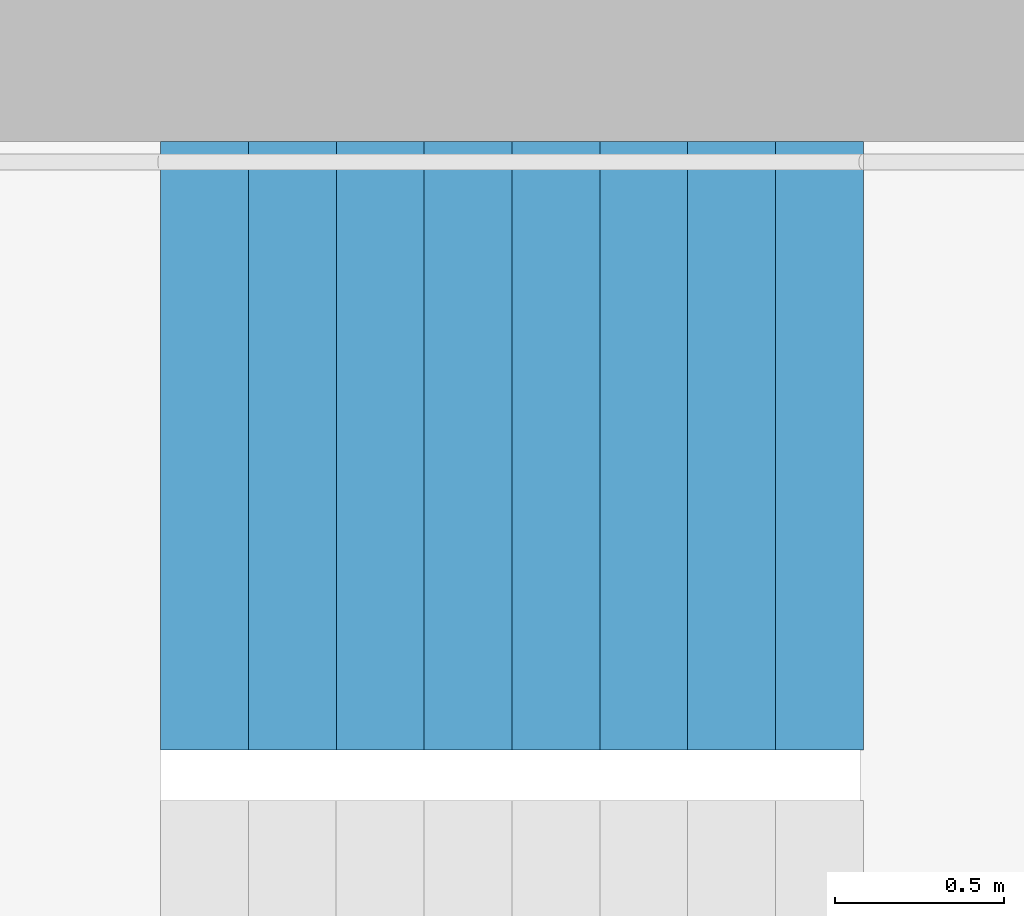
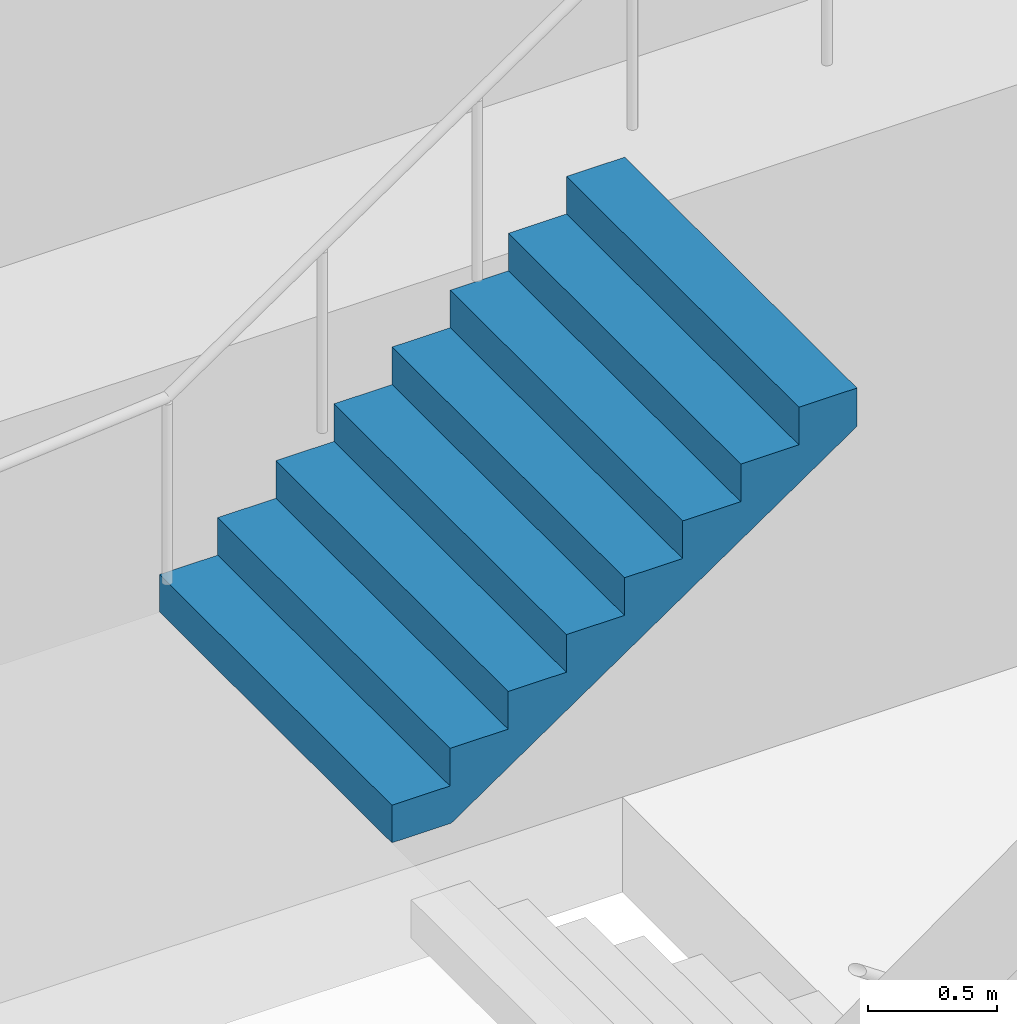
# One storey, part 25 of 26: 1 stair flight, 1 element without a shape of its own.
"""IFC4 building model written with IfcOpenShell, lengths in metres."""

from ifc_helpers import new_model, si_unit, direction, frame, origin, place, context, subcontext, project, spatial, triangles, material, type_object, element, aggregate, save


model = new_model("IFC4")

# Units and contexts
model_context = context("Model", 3, precision=1e-05, world=origin(), true_north=direction((0.0, 1.0)))
body_context = subcontext(model_context, "Body", "Model", "MODEL_VIEW")
ifc_project = project(units=[si_unit("LENGTHUNIT", "METRE"), si_unit("AREAUNIT", "SQUARE_METRE"), si_unit("VOLUMEUNIT", "CUBIC_METRE"), si_unit("PLANEANGLEUNIT", "RADIAN"), si_unit("MASSUNIT", "GRAM", prefix="KILO")], contexts=[model_context])

# Site, building, storey
site_placement = place(None, origin())
site = spatial("IfcSite", under=ifc_project, at=site_placement, CompositionType="ELEMENT")
building_placement = place(site_placement, origin())
building = spatial("IfcBuilding", under=site, at=building_placement, Name="Hakoniwa Tower and Hamabe Station Hall", CompositionType="ELEMENT")
storey_placement = place(building_placement, frame((0.0, 0.0, 212.199951171875)))
storey = spatial("IfcBuildingStorey", under=building, at=storey_placement, Name="L60", CompositionType="ELEMENT", Elevation=212.199951171875)

# Stair, stair flight
ifc_material_1 = material(Name="Concrete C40", Category="concrete")
stair_type = type_object("IfcStairType", Name="ESCAPE STAIR 1800", PredefinedType="HALF_TURN_STAIR", material=ifc_material_1)
stair_placement = place(storey_placement, origin())
stair = element("IfcStair", 1, at=stair_placement, inside=storey, type_object=stair_type, Name="Escape stair ST-3 L60", PredefinedType="HALF_TURN_STAIR")
ifc_material_2 = material(Name="Concrete C40", Category="concrete")
stair_flight_type = type_object("IfcStairFlightType", Name="STAIR FLIGHT 1800", PredefinedType="STRAIGHT", material=ifc_material_2)
stair_flight_placement = place(storey_placement, frame((22.320068359375, 6.60009765625, 1.60009765625), z_axis=(0.0, 0.0, 1.0), x_axis=(1.0, 0.0, 0.0)))
stair_flight = element("IfcStairFlight", 2, at=stair_flight_placement, type_object=stair_flight_type, Name="ST-3 flight 2", NumberOfRisers=9, NumberOfTreads=8, PredefinedType="STRAIGHT", RiserHeight=0.177777778, TreadLength=0.26, context=body_context, shape_type="Tessellation", body=[
    triangles([(0.0, 0.89990234375, 0.0), (0.260009765625, 0.89990234375, 0.0), (0.265625, 0.89990234375, 0.0), (0.52001953125, 0.89990234375, 0.174072265625), (0.780029296875, 0.89990234375, 0.351806640625), (1.0400390625, 0.89990234375, 0.529541015625), (1.300048828125, 0.89990234375, 0.707275390625), (1.56005859375, 0.89990234375, 0.885009765625), (1.820068359375, 0.89990234375, 1.062744140625), (2.080078125, 0.89990234375, 1.24072265625), (2.080078125, 0.89990234375, 1.422119140625), (1.820068359375, 0.89990234375, 1.422119140625), (1.820068359375, 0.89990234375, 1.244384765625), (1.56005859375, 0.89990234375, 1.244384765625), (1.56005859375, 0.89990234375, 1.066650390625), (1.300048828125, 0.89990234375, 1.066650390625), (1.300048828125, 0.89990234375, 0.888916015625), (1.0400390625, 0.89990234375, 0.888916015625), (1.0400390625, 0.89990234375, 0.711181640625), (0.780029296875, 0.89990234375, 0.711181640625), (0.780029296875, 0.89990234375, 0.533447265625), (0.52001953125, 0.89990234375, 0.533447265625), (0.52001953125, 0.89990234375, 0.35546875), (0.265625, 0.89990234375, 0.35546875), (0.260009765625, 0.89990234375, 0.35546875), (0.260009765625, 0.89990234375, 0.177734375), (0.0, 0.89990234375, 0.177734375), (0.0, 0.06005859375, 0.0), (0.260009765625, 0.06005859375, 0.0), (0.265625, 0.06005859375, 0.0), (0.52001953125, 0.06005859375, 0.174072265625), (0.780029296875, 0.06005859375, 0.351806640625), (1.0400390625, 0.06005859375, 0.529541015625), (1.300048828125, 0.06005859375, 0.707275390625), (1.56005859375, 0.06005859375, 0.885009765625), (1.820068359375, 0.06005859375, 1.062744140625), (2.080078125, 0.06005859375, 1.24072265625), (2.080078125, 0.06005859375, 1.422119140625), (1.820068359375, 0.06005859375, 1.422119140625), (1.820068359375, 0.06005859375, 1.244384765625), (1.56005859375, 0.06005859375, 1.244384765625), (1.56005859375, 0.06005859375, 1.066650390625), (1.300048828125, 0.06005859375, 1.066650390625), (1.300048828125, 0.06005859375, 0.888916015625), (1.0400390625, 0.06005859375, 0.888916015625), (1.0400390625, 0.06005859375, 0.711181640625), (0.780029296875, 0.06005859375, 0.711181640625), (0.780029296875, 0.06005859375, 0.533447265625), (0.52001953125, 0.06005859375, 0.533447265625), (0.52001953125, 0.06005859375, 0.35546875), (0.265625, 0.06005859375, 0.35546875), (0.260009765625, 0.06005859375, 0.35546875), (0.260009765625, 0.06005859375, 0.177734375), (0.0, 0.06005859375, 0.177734375), (0.0, 0.04296875, 0.0), (0.260009765625, 0.04296875, 0.0), (0.265625, 0.04296875, 0.0), (0.52001953125, 0.04296875, 0.174072265625), (0.780029296875, 0.04296875, 0.351806640625), (1.0400390625, 0.04296875, 0.529541015625), (1.300048828125, 0.04296875, 0.707275390625), (1.56005859375, 0.04296875, 0.885009765625), (1.820068359375, 0.04296875, 1.062744140625), (2.080078125, 0.04296875, 1.24072265625), (2.080078125, 0.04296875, 1.422119140625), (1.820068359375, 0.04296875, 1.422119140625), (1.820068359375, 0.04296875, 1.244384765625), (1.56005859375, 0.04296875, 1.244384765625), (1.56005859375, 0.04296875, 1.066650390625), (1.300048828125, 0.04296875, 1.066650390625), (1.300048828125, 0.04296875, 0.888916015625), (1.0400390625, 0.04296875, 0.888916015625), (1.0400390625, 0.04296875, 0.711181640625), (0.780029296875, 0.04296875, 0.711181640625), (0.780029296875, 0.04296875, 0.533447265625), (0.52001953125, 0.04296875, 0.533447265625), (0.52001953125, 0.04296875, 0.35546875), (0.265625, 0.04296875, 0.35546875), (0.260009765625, 0.04296875, 0.35546875), (0.260009765625, 0.04296875, 0.177734375), (0.0, 0.04296875, 0.177734375), (0.0, 0.025634765625, 0.0), (0.260009765625, 0.025634765625, 0.0), (0.265625, 0.025634765625, 0.0), (0.52001953125, 0.025634765625, 0.174072265625), (0.780029296875, 0.025634765625, 0.351806640625), (1.0400390625, 0.025634765625, 0.529541015625), (1.300048828125, 0.025634765625, 0.707275390625), (1.56005859375, 0.025634765625, 0.885009765625), (1.820068359375, 0.025634765625, 1.062744140625), (2.080078125, 0.025634765625, 1.24072265625), (2.080078125, 0.025634765625, 1.422119140625), (1.820068359375, 0.025634765625, 1.422119140625), (1.820068359375, 0.025634765625, 1.244384765625), (1.56005859375, 0.025634765625, 1.244384765625), (1.56005859375, 0.025634765625, 1.066650390625), (1.300048828125, 0.025634765625, 1.066650390625), (1.300048828125, 0.025634765625, 0.888916015625), (1.0400390625, 0.025634765625, 0.888916015625), (1.0400390625, 0.025634765625, 0.711181640625), (0.780029296875, 0.025634765625, 0.711181640625), (0.780029296875, 0.025634765625, 0.533447265625), (0.52001953125, 0.025634765625, 0.533447265625), (0.52001953125, 0.025634765625, 0.35546875), (0.265625, 0.025634765625, 0.35546875), (0.260009765625, 0.025634765625, 0.35546875), (0.260009765625, 0.025634765625, 0.177734375), (0.0, 0.025634765625, 0.177734375), (0.0, 0.008544921875, 0.0), (0.260009765625, 0.008544921875, 0.0), (0.265625, 0.008544921875, 0.0), (0.52001953125, 0.008544921875, 0.174072265625), (0.780029296875, 0.008544921875, 0.351806640625), (1.0400390625, 0.008544921875, 0.529541015625), (1.300048828125, 0.008544921875, 0.707275390625), (1.56005859375, 0.008544921875, 0.885009765625), (1.820068359375, 0.008544921875, 1.062744140625), (2.080078125, 0.008544921875, 1.24072265625), (2.080078125, 0.008544921875, 1.422119140625), (1.820068359375, 0.008544921875, 1.422119140625), (1.820068359375, 0.008544921875, 1.244384765625), (1.56005859375, 0.008544921875, 1.244384765625), (1.56005859375, 0.008544921875, 1.066650390625), (1.300048828125, 0.008544921875, 1.066650390625), (1.300048828125, 0.008544921875, 0.888916015625), (1.0400390625, 0.008544921875, 0.888916015625), (1.0400390625, 0.008544921875, 0.711181640625), (0.780029296875, 0.008544921875, 0.711181640625), (0.780029296875, 0.008544921875, 0.533447265625), (0.52001953125, 0.008544921875, 0.533447265625), (0.52001953125, 0.008544921875, 0.35546875), (0.265625, 0.008544921875, 0.35546875), (0.260009765625, 0.008544921875, 0.35546875), (0.260009765625, 0.008544921875, 0.177734375), (0.0, 0.008544921875, 0.177734375), (0.0, -0.008544921875, 0.0), (0.260009765625, -0.008544921875, 0.0), (0.265625, -0.008544921875, 0.0), (0.52001953125, -0.008544921875, 0.174072265625), (0.780029296875, -0.008544921875, 0.351806640625), (1.0400390625, -0.008544921875, 0.529541015625), (1.300048828125, -0.008544921875, 0.707275390625), (1.56005859375, -0.008544921875, 0.885009765625), (1.820068359375, -0.008544921875, 1.062744140625), (2.080078125, -0.008544921875, 1.24072265625), (2.080078125, -0.008544921875, 1.422119140625), (1.820068359375, -0.008544921875, 1.422119140625), (1.820068359375, -0.008544921875, 1.244384765625), (1.56005859375, -0.008544921875, 1.244384765625), (1.56005859375, -0.008544921875, 1.066650390625), (1.300048828125, -0.008544921875, 1.066650390625), (1.300048828125, -0.008544921875, 0.888916015625), (1.0400390625, -0.008544921875, 0.888916015625), (1.0400390625, -0.008544921875, 0.711181640625), (0.780029296875, -0.008544921875, 0.711181640625), (0.780029296875, -0.008544921875, 0.533447265625), (0.52001953125, -0.008544921875, 0.533447265625), (0.52001953125, -0.008544921875, 0.35546875), (0.265625, -0.008544921875, 0.35546875), (0.260009765625, -0.008544921875, 0.35546875), (0.260009765625, -0.008544921875, 0.177734375), (0.0, -0.008544921875, 0.177734375), (0.0, -0.025634765625, 0.0), (0.260009765625, -0.025634765625, 0.0), (0.265625, -0.025634765625, 0.0), (0.52001953125, -0.025634765625, 0.174072265625), (0.780029296875, -0.025634765625, 0.351806640625), (1.0400390625, -0.025634765625, 0.529541015625), (1.300048828125, -0.025634765625, 0.707275390625), (1.56005859375, -0.025634765625, 0.885009765625), (1.820068359375, -0.025634765625, 1.062744140625), (2.080078125, -0.025634765625, 1.24072265625), (2.080078125, -0.025634765625, 1.422119140625), (1.820068359375, -0.025634765625, 1.422119140625), (1.820068359375, -0.025634765625, 1.244384765625), (1.56005859375, -0.025634765625, 1.244384765625), (1.56005859375, -0.025634765625, 1.066650390625), (1.300048828125, -0.025634765625, 1.066650390625), (1.300048828125, -0.025634765625, 0.888916015625), (1.0400390625, -0.025634765625, 0.888916015625), (1.0400390625, -0.025634765625, 0.711181640625), (0.780029296875, -0.025634765625, 0.711181640625), (0.780029296875, -0.025634765625, 0.533447265625), (0.52001953125, -0.025634765625, 0.533447265625), (0.52001953125, -0.025634765625, 0.35546875), (0.265625, -0.025634765625, 0.35546875), (0.260009765625, -0.025634765625, 0.35546875), (0.260009765625, -0.025634765625, 0.177734375), (0.0, -0.025634765625, 0.177734375), (0.0, -0.04296875, 0.0), (0.260009765625, -0.04296875, 0.0), (0.265625, -0.04296875, 0.0), (0.52001953125, -0.04296875, 0.174072265625), (0.780029296875, -0.04296875, 0.351806640625), (1.0400390625, -0.04296875, 0.529541015625), (1.300048828125, -0.04296875, 0.707275390625), (1.56005859375, -0.04296875, 0.885009765625), (1.820068359375, -0.04296875, 1.062744140625), (2.080078125, -0.04296875, 1.24072265625), (2.080078125, -0.04296875, 1.422119140625), (1.820068359375, -0.04296875, 1.422119140625), (1.820068359375, -0.04296875, 1.244384765625), (1.56005859375, -0.04296875, 1.244384765625), (1.56005859375, -0.04296875, 1.066650390625), (1.300048828125, -0.04296875, 1.066650390625), (1.300048828125, -0.04296875, 0.888916015625), (1.0400390625, -0.04296875, 0.888916015625), (1.0400390625, -0.04296875, 0.711181640625), (0.780029296875, -0.04296875, 0.711181640625), (0.780029296875, -0.04296875, 0.533447265625), (0.52001953125, -0.04296875, 0.533447265625), (0.52001953125, -0.04296875, 0.35546875), (0.265625, -0.04296875, 0.35546875), (0.260009765625, -0.04296875, 0.35546875), (0.260009765625, -0.04296875, 0.177734375), (0.0, -0.04296875, 0.177734375), (0.0, -0.06005859375, 0.0), (0.260009765625, -0.06005859375, 0.0), (0.265625, -0.06005859375, 0.0), (0.52001953125, -0.06005859375, 0.174072265625), (0.780029296875, -0.06005859375, 0.351806640625), (1.0400390625, -0.06005859375, 0.529541015625), (1.300048828125, -0.06005859375, 0.707275390625), (1.56005859375, -0.06005859375, 0.885009765625), (1.820068359375, -0.06005859375, 1.062744140625), (2.080078125, -0.06005859375, 1.24072265625), (2.080078125, -0.06005859375, 1.422119140625), (1.820068359375, -0.06005859375, 1.422119140625), (1.820068359375, -0.06005859375, 1.244384765625), (1.56005859375, -0.06005859375, 1.244384765625), (1.56005859375, -0.06005859375, 1.066650390625), (1.300048828125, -0.06005859375, 1.066650390625), (1.300048828125, -0.06005859375, 0.888916015625), (1.0400390625, -0.06005859375, 0.888916015625), (1.0400390625, -0.06005859375, 0.711181640625), (0.780029296875, -0.06005859375, 0.711181640625), (0.780029296875, -0.06005859375, 0.533447265625), (0.52001953125, -0.06005859375, 0.533447265625), (0.52001953125, -0.06005859375, 0.35546875), (0.265625, -0.06005859375, 0.35546875), (0.260009765625, -0.06005859375, 0.35546875), (0.260009765625, -0.06005859375, 0.177734375), (0.0, -0.06005859375, 0.177734375), (0.0, -0.89990234375, 0.0), (0.260009765625, -0.89990234375, 0.0), (0.265625, -0.89990234375, 0.0), (0.52001953125, -0.89990234375, 0.174072265625), (0.780029296875, -0.89990234375, 0.351806640625), (1.0400390625, -0.89990234375, 0.529541015625), (1.300048828125, -0.89990234375, 0.707275390625), (1.56005859375, -0.89990234375, 0.885009765625), (1.820068359375, -0.89990234375, 1.062744140625), (2.080078125, -0.89990234375, 1.24072265625), (2.080078125, -0.89990234375, 1.422119140625), (1.820068359375, -0.89990234375, 1.422119140625), (1.820068359375, -0.89990234375, 1.244384765625), (1.56005859375, -0.89990234375, 1.244384765625), (1.56005859375, -0.89990234375, 1.066650390625), (1.300048828125, -0.89990234375, 1.066650390625), (1.300048828125, -0.89990234375, 0.888916015625), (1.0400390625, -0.89990234375, 0.888916015625), (1.0400390625, -0.89990234375, 0.711181640625), (0.780029296875, -0.89990234375, 0.711181640625), (0.780029296875, -0.89990234375, 0.533447265625), (0.52001953125, -0.89990234375, 0.533447265625), (0.52001953125, -0.89990234375, 0.35546875), (0.265625, -0.89990234375, 0.35546875), (0.260009765625, -0.89990234375, 0.35546875), (0.260009765625, -0.89990234375, 0.177734375), (0.0, -0.89990234375, 0.177734375)], [[2, 27, 26], [245, 269, 270], [2, 1, 27], [245, 270, 244], [3, 25, 24], [246, 267, 268], [3, 26, 25], [246, 268, 269], [3, 2, 26], [246, 269, 245], [4, 24, 23], [247, 266, 267], [4, 3, 24], [247, 267, 246], [5, 22, 21], [248, 264, 265], [5, 23, 22], [248, 265, 266], [5, 4, 23], [248, 266, 247], [6, 20, 19], [249, 262, 263], [6, 21, 20], [249, 263, 264], [6, 5, 21], [249, 264, 248], [7, 18, 17], [250, 260, 261], [7, 19, 18], [250, 261, 262], [7, 6, 19], [250, 262, 249], [8, 16, 15], [251, 258, 259], [8, 17, 16], [251, 259, 260], [8, 7, 17], [251, 260, 250], [9, 14, 13], [252, 256, 257], [9, 15, 14], [252, 257, 258], [9, 8, 15], [252, 258, 251], [10, 12, 11], [253, 254, 255], [10, 13, 12], [253, 255, 256], [10, 9, 13], [253, 256, 252], [1, 2, 29], [1, 29, 28], [28, 29, 56], [28, 56, 55], [55, 56, 83], [55, 83, 82], [82, 83, 110], [82, 110, 109], [109, 110, 137], [109, 137, 136], [136, 137, 164], [136, 164, 163], [163, 164, 191], [163, 191, 190], [190, 191, 218], [190, 218, 217], [217, 218, 245], [217, 245, 244], [2, 3, 30], [2, 30, 29], [29, 30, 57], [29, 57, 56], [56, 57, 84], [56, 84, 83], [83, 84, 111], [83, 111, 110], [110, 111, 138], [110, 138, 137], [137, 138, 165], [137, 165, 164], [164, 165, 192], [164, 192, 191], [191, 192, 219], [191, 219, 218], [218, 219, 246], [218, 246, 245], [3, 4, 31], [3, 31, 30], [30, 31, 58], [30, 58, 57], [57, 58, 85], [57, 85, 84], [84, 85, 112], [84, 112, 111], [111, 112, 139], [111, 139, 138], [138, 139, 166], [138, 166, 165], [165, 166, 193], [165, 193, 192], [192, 193, 220], [192, 220, 219], [219, 220, 247], [219, 247, 246], [4, 5, 32], [4, 32, 31], [31, 32, 59], [31, 59, 58], [58, 59, 86], [58, 86, 85], [85, 86, 113], [85, 113, 112], [112, 113, 140], [112, 140, 139], [139, 140, 167], [139, 167, 166], [166, 167, 194], [166, 194, 193], [193, 194, 221], [193, 221, 220], [220, 221, 248], [220, 248, 247], [5, 6, 33], [5, 33, 32], [32, 33, 60], [32, 60, 59], [59, 60, 87], [59, 87, 86], [86, 87, 114], [86, 114, 113], [113, 114, 141], [113, 141, 140], [140, 141, 168], [140, 168, 167], [167, 168, 195], [167, 195, 194], [194, 195, 222], [194, 222, 221], [221, 222, 249], [221, 249, 248], [6, 7, 34], [6, 34, 33], [33, 34, 61], [33, 61, 60], [60, 61, 88], [60, 88, 87], [87, 88, 115], [87, 115, 114], [114, 115, 142], [114, 142, 141], [141, 142, 169], [141, 169, 168], [168, 169, 196], [168, 196, 195], [195, 196, 223], [195, 223, 222], [222, 223, 250], [222, 250, 249], [7, 8, 35], [7, 35, 34], [34, 35, 62], [34, 62, 61], [61, 62, 89], [61, 89, 88], [88, 89, 116], [88, 116, 115], [115, 116, 143], [115, 143, 142], [142, 143, 170], [142, 170, 169], [169, 170, 197], [169, 197, 196], [196, 197, 224], [196, 224, 223], [223, 224, 251], [223, 251, 250], [8, 9, 36], [8, 36, 35], [35, 36, 63], [35, 63, 62], [62, 63, 90], [62, 90, 89], [89, 90, 117], [89, 117, 116], [116, 117, 144], [116, 144, 143], [143, 144, 171], [143, 171, 170], [170, 171, 198], [170, 198, 197], [197, 198, 225], [197, 225, 224], [224, 225, 252], [224, 252, 251], [9, 10, 37], [9, 37, 36], [36, 37, 64], [36, 64, 63], [63, 64, 91], [63, 91, 90], [90, 91, 118], [90, 118, 117], [117, 118, 145], [117, 145, 144], [144, 145, 172], [144, 172, 171], [171, 172, 199], [171, 199, 198], [198, 199, 226], [198, 226, 225], [225, 226, 253], [225, 253, 252], [10, 11, 38], [10, 38, 37], [37, 38, 65], [37, 65, 64], [64, 65, 92], [64, 92, 91], [91, 92, 119], [91, 119, 118], [118, 119, 146], [118, 146, 145], [145, 146, 173], [145, 173, 172], [172, 173, 200], [172, 200, 199], [199, 200, 227], [199, 227, 226], [226, 227, 254], [226, 254, 253], [11, 12, 39], [11, 39, 38], [38, 39, 66], [38, 66, 65], [65, 66, 93], [65, 93, 92], [92, 93, 120], [92, 120, 119], [119, 120, 147], [119, 147, 146], [146, 147, 174], [146, 174, 173], [173, 174, 201], [173, 201, 200], [200, 201, 228], [200, 228, 227], [227, 228, 255], [227, 255, 254], [12, 13, 40], [12, 40, 39], [39, 40, 67], [39, 67, 66], [66, 67, 94], [66, 94, 93], [93, 94, 121], [93, 121, 120], [120, 121, 148], [120, 148, 147], [147, 148, 175], [147, 175, 174], [174, 175, 202], [174, 202, 201], [201, 202, 229], [201, 229, 228], [228, 229, 256], [228, 256, 255], [13, 14, 41], [13, 41, 40], [40, 41, 68], [40, 68, 67], [67, 68, 95], [67, 95, 94], [94, 95, 122], [94, 122, 121], [121, 122, 149], [121, 149, 148], [148, 149, 176], [148, 176, 175], [175, 176, 203], [175, 203, 202], [202, 203, 230], [202, 230, 229], [229, 230, 257], [229, 257, 256], [14, 15, 42], [14, 42, 41], [41, 42, 69], [41, 69, 68], [68, 69, 96], [68, 96, 95], [95, 96, 123], [95, 123, 122], [122, 123, 150], [122, 150, 149], [149, 150, 177], [149, 177, 176], [176, 177, 204], [176, 204, 203], [203, 204, 231], [203, 231, 230], [230, 231, 258], [230, 258, 257], [15, 16, 43], [15, 43, 42], [42, 43, 70], [42, 70, 69], [69, 70, 97], [69, 97, 96], [96, 97, 124], [96, 124, 123], [123, 124, 151], [123, 151, 150], [150, 151, 178], [150, 178, 177], [177, 178, 205], [177, 205, 204], [204, 205, 232], [204, 232, 231], [231, 232, 259], [231, 259, 258], [16, 17, 44], [16, 44, 43], [43, 44, 71], [43, 71, 70], [70, 71, 98], [70, 98, 97], [97, 98, 125], [97, 125, 124], [124, 125, 152], [124, 152, 151], [151, 152, 179], [151, 179, 178], [178, 179, 206], [178, 206, 205], [205, 206, 233], [205, 233, 232], [232, 233, 260], [232, 260, 259], [17, 18, 45], [17, 45, 44], [44, 45, 72], [44, 72, 71], [71, 72, 99], [71, 99, 98], [98, 99, 126], [98, 126, 125], [125, 126, 153], [125, 153, 152], [152, 153, 180], [152, 180, 179], [179, 180, 207], [179, 207, 206], [206, 207, 234], [206, 234, 233], [233, 234, 261], [233, 261, 260], [18, 19, 46], [18, 46, 45], [45, 46, 73], [45, 73, 72], [72, 73, 100], [72, 100, 99], [99, 100, 127], [99, 127, 126], [126, 127, 154], [126, 154, 153], [153, 154, 181], [153, 181, 180], [180, 181, 208], [180, 208, 207], [207, 208, 235], [207, 235, 234], [234, 235, 262], [234, 262, 261], [19, 20, 47], [19, 47, 46], [46, 47, 74], [46, 74, 73], [73, 74, 101], [73, 101, 100], [100, 101, 128], [100, 128, 127], [127, 128, 155], [127, 155, 154], [154, 155, 182], [154, 182, 181], [181, 182, 209], [181, 209, 208], [208, 209, 236], [208, 236, 235], [235, 236, 263], [235, 263, 262], [20, 21, 48], [20, 48, 47], [47, 48, 75], [47, 75, 74], [74, 75, 102], [74, 102, 101], [101, 102, 129], [101, 129, 128], [128, 129, 156], [128, 156, 155], [155, 156, 183], [155, 183, 182], [182, 183, 210], [182, 210, 209], [209, 210, 237], [209, 237, 236], [236, 237, 264], [236, 264, 263], [21, 22, 49], [21, 49, 48], [48, 49, 76], [48, 76, 75], [75, 76, 103], [75, 103, 102], [102, 103, 130], [102, 130, 129], [129, 130, 157], [129, 157, 156], [156, 157, 184], [156, 184, 183], [183, 184, 211], [183, 211, 210], [210, 211, 238], [210, 238, 237], [237, 238, 265], [237, 265, 264], [22, 23, 50], [22, 50, 49], [49, 50, 77], [49, 77, 76], [76, 77, 104], [76, 104, 103], [103, 104, 131], [103, 131, 130], [130, 131, 158], [130, 158, 157], [157, 158, 185], [157, 185, 184], [184, 185, 212], [184, 212, 211], [211, 212, 239], [211, 239, 238], [238, 239, 266], [238, 266, 265], [23, 24, 51], [23, 51, 50], [50, 51, 78], [50, 78, 77], [77, 78, 105], [77, 105, 104], [104, 105, 132], [104, 132, 131], [131, 132, 159], [131, 159, 158], [158, 159, 186], [158, 186, 185], [185, 186, 213], [185, 213, 212], [212, 213, 240], [212, 240, 239], [239, 240, 267], [239, 267, 266], [24, 25, 52], [24, 52, 51], [51, 52, 79], [51, 79, 78], [78, 79, 106], [78, 106, 105], [105, 106, 133], [105, 133, 132], [132, 133, 160], [132, 160, 159], [159, 160, 187], [159, 187, 186], [186, 187, 214], [186, 214, 213], [213, 214, 241], [213, 241, 240], [240, 241, 268], [240, 268, 267], [25, 26, 53], [25, 53, 52], [52, 53, 80], [52, 80, 79], [79, 80, 107], [79, 107, 106], [106, 107, 134], [106, 134, 133], [133, 134, 161], [133, 161, 160], [160, 161, 188], [160, 188, 187], [187, 188, 215], [187, 215, 214], [214, 215, 242], [214, 242, 241], [241, 242, 269], [241, 269, 268], [26, 27, 54], [26, 54, 53], [53, 54, 81], [53, 81, 80], [80, 81, 108], [80, 108, 107], [107, 108, 135], [107, 135, 134], [134, 135, 162], [134, 162, 161], [161, 162, 189], [161, 189, 188], [188, 189, 216], [188, 216, 215], [215, 216, 243], [215, 243, 242], [242, 243, 270], [242, 270, 269], [27, 1, 28], [27, 28, 54], [54, 28, 55], [54, 55, 81], [81, 55, 82], [81, 82, 108], [108, 82, 109], [108, 109, 135], [135, 109, 136], [135, 136, 162], [162, 136, 163], [162, 163, 189], [189, 163, 190], [189, 190, 216], [216, 190, 217], [216, 217, 243], [243, 217, 244], [243, 244, 270]], closed=True),
])
aggregate(stair, [stair_flight])

save(model, "model.ifc")
